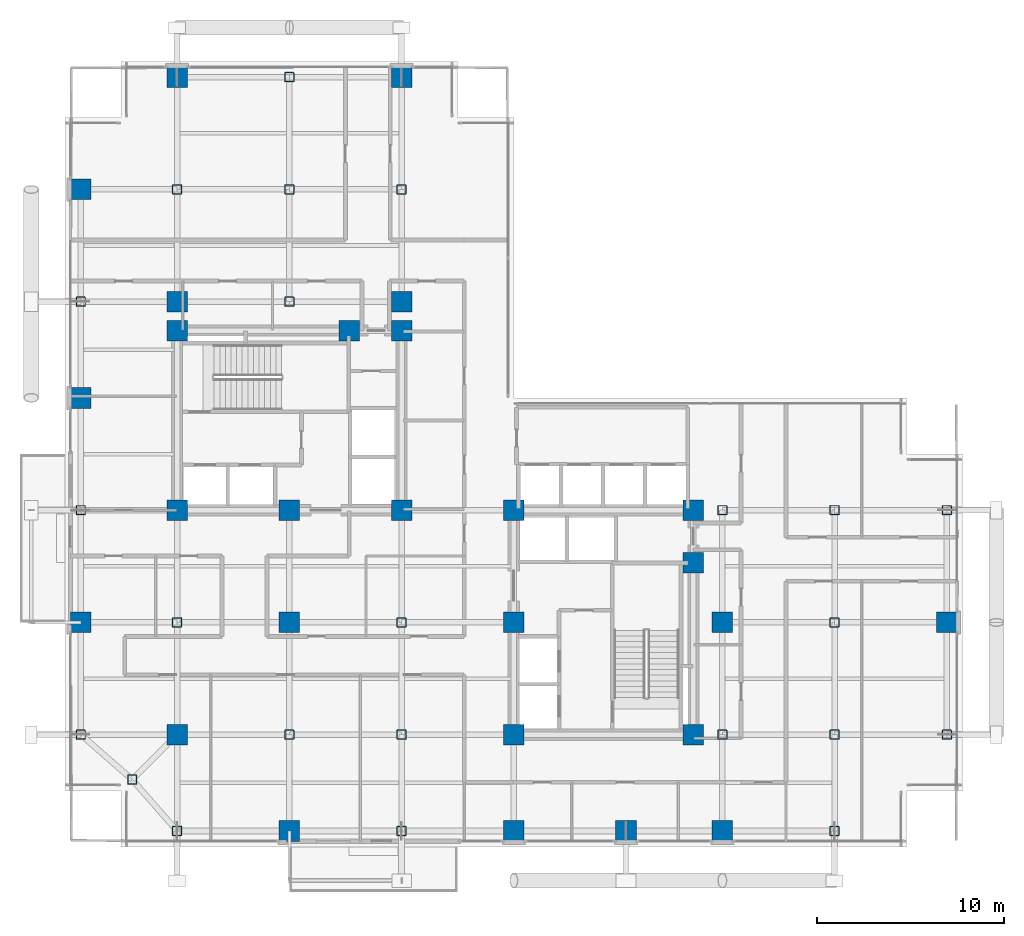
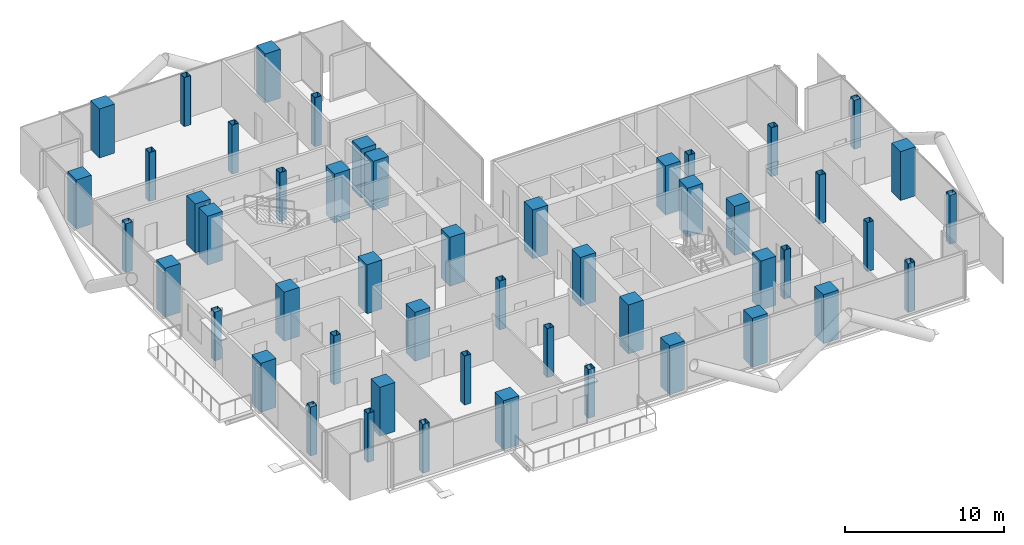
# One storey, part 1 of 24: 50 columns.
"""IFC4 building model written with IfcOpenShell, lengths in metres."""

import ifcopenshell
import ifcopenshell.guid

model = None  # the IFC model being written
_history = None  # IfcOwnerHistory: only IFC2X3 demands one
_inside = {}  # id of a spatial element -> (the spatial element, [elements in it])
_under = {}  # id of a project, library or spatial element -> (it, [spatial elements below it])
_declared = {}  # id of a project -> (the project, [libraries it declares])
_typed = {}  # id of a type object -> (the type object, [elements of that type])
_made_of = {}  # id of a material, layer set ... -> (it, [elements and type objects made of it])


def new_model(schema):
    """Start an empty IFC model of exactly this schema.

    Asked for "IFC4X3", IfcOpenShell would pick the latest addendum, in which some entities
    have other attributes; the version numbers below select the first issue.
    IFC2X3 requires an IfcOwnerHistory on every rooted entity: one is made here for all.
    """
    global model, _history
    if schema == "IFC4X3":
        model = ifcopenshell.file(schema_version=(4, 3, 0, 0))
    else:
        model = ifcopenshell.file(schema=schema)
    _inside.clear()
    _under.clear()
    _declared.clear()
    _typed.clear()
    _made_of.clear()
    _history = None
    if model.schema == "IFC2X3":
        org = make("IfcOrganization", Name="unknown")
        user = make(
            "IfcPersonAndOrganization",
            ThePerson=make("IfcPerson", FamilyName="unknown"),
            TheOrganization=org,
        )
        app = make(
            "IfcApplication",
            ApplicationDeveloper=org,
            Version="unknown",
            ApplicationFullName="unknown",
            ApplicationIdentifier="unknown",
        )
        _history = make(
            "IfcOwnerHistory",
            OwningUser=user,
            OwningApplication=app,
            ChangeAction="ADDED",
            CreationDate=0,
        )
    return model


def make(cls, **values):
    """One entity of the class cls with the attributes given. An attribute that is None is left unset."""
    return model.create_entity(
        cls, **{name: value for name, value in values.items() if value is not None}
    )


def rooted(cls, **values):
    """An entity with a GlobalId (a new one), such as an element, a storey or a relation."""
    return make(cls, GlobalId=ifcopenshell.guid.new(), OwnerHistory=_history, **values)


def si_unit(unit_type, name, prefix=None):
    """IfcSIUnit, for example si_unit("LENGTHUNIT", "METRE", prefix="MILLI")."""
    return make("IfcSIUnit", UnitType=unit_type, Prefix=prefix, Name=name)


def assignment(units):
    """IfcUnitAssignment: the units of a project."""
    return None if units is None else make("IfcUnitAssignment", Units=units)


def point(xyz):
    """IfcCartesianPoint."""
    return None if xyz is None else make("IfcCartesianPoint", Coordinates=xyz)


def direction(xyz):
    """IfcDirection."""
    return None if xyz is None else make("IfcDirection", DirectionRatios=xyz)


def frame(location, z_axis=None, x_axis=None):
    """IfcAxis2Placement3D, a coordinate frame: its origin and axes. An axis left out is left unset."""
    return make(
        "IfcAxis2Placement3D",
        Location=point(location),
        Axis=direction(z_axis),
        RefDirection=direction(x_axis),
    )


def frame_2d(location, x_axis=None):
    """IfcAxis2Placement2D, a coordinate frame in the plane: its origin and x axis."""
    return make(
        "IfcAxis2Placement2D", Location=point(location), RefDirection=direction(x_axis)
    )


def origin():
    """The frame at (0, 0, 0) with its axes left unset."""
    return frame((0.0, 0.0, 0.0))


def origin_2d():
    """The frame at (0, 0) in the plane with its x axis left unset."""
    return frame_2d((0.0, 0.0))


def place(relative_to, where):
    """IfcLocalPlacement: puts the frame where relative to a parent placement (None: the world)."""
    return make(
        "IfcLocalPlacement", PlacementRelTo=relative_to, RelativePlacement=where
    )


def context(
    kind, dimensions, precision=None, world=None, true_north=None, identifier=None
):
    """IfcGeometricRepresentationContext, for example the 3D "Model" context."""
    return make(
        "IfcGeometricRepresentationContext",
        ContextIdentifier=identifier,
        ContextType=kind,
        CoordinateSpaceDimension=dimensions,
        Precision=precision,
        WorldCoordinateSystem=world,
        TrueNorth=true_north,
    )


def subcontext(parent, identifier, kind, view, scale=None):
    """IfcGeometricRepresentationSubContext, for example "Body" below "Model"."""
    return make(
        "IfcGeometricRepresentationSubContext",
        ContextIdentifier=identifier,
        ContextType=kind,
        ParentContext=parent,
        TargetScale=scale,
        TargetView=view,
    )


def project(units=None, contexts=None):
    """IfcProject with its units and contexts."""
    return rooted(
        "IfcProject",
        Name="project",
        RepresentationContexts=contexts,
        UnitsInContext=assignment(units),
    )


def spatial(cls, under=None, at=None, **own):
    """A site, building, storey or space (cls), placed at a placement, below another one or the project."""
    s = rooted(cls, ObjectPlacement=at, **own)
    if under is not None:
        _under.setdefault(under.id(), (under, []))[1].append(s)
    return s


def profile(cls, at=None, kind="AREA", **sizes):
    """A parametric profile (cls). Its sizes go by their IFC names, for example OverallWidth=200.0."""
    return make(cls, ProfileType=kind, Position=at, **sizes)


def rectangle(**sizes):
    """IfcRectangleProfileDef."""
    return profile("IfcRectangleProfileDef", **sizes)


def hollow_rectangle(**sizes):
    """IfcRectangleHollowProfileDef."""
    return profile("IfcRectangleHollowProfileDef", **sizes)


def extrude(swept, where, along, depth):
    """IfcExtrudedAreaSolid: the profile swept, set in the frame where, extruded along a direction by depth."""
    return make(
        "IfcExtrudedAreaSolid",
        SweptArea=swept,
        Position=where,
        ExtrudedDirection=direction(along),
        Depth=depth,
    )


def shape(context_of_items, identifier, shape_type, items):
    """IfcShapeRepresentation: the items that make up one representation, for example the "Body"."""
    return make(
        "IfcShapeRepresentation",
        ContextOfItems=context_of_items,
        RepresentationIdentifier=identifier,
        RepresentationType=shape_type,
        Items=items,
    )


def material(Name=None, Category=None):
    """IfcMaterial."""
    return make("IfcMaterial", Name=Name, Category=Category)


def material_profile(
    of_material, cross_section, Name=None, Category=None, Priority=None
):
    """IfcMaterialProfile: a cross section and its material."""
    return make(
        "IfcMaterialProfile",
        Name=Name,
        Material=of_material,
        Profile=cross_section,
        Priority=Priority,
        Category=Category,
    )


def profile_set(profiles, Name=None, composite=None):
    """IfcMaterialProfileSet."""
    return make(
        "IfcMaterialProfileSet",
        Name=Name,
        MaterialProfiles=profiles,
        CompositeProfile=composite,
    )


def made_of(thing, what):
    """Note that an element or type object is made of a material, layer set ...; save() writes the relation."""
    if what is not None:
        _made_of.setdefault(what.id(), (what, []))[1].append(thing)
    return thing


def type_object(cls, material=None, **own):
    """A type object (cls), such as IfcWallType, which elements share."""
    return made_of(rooted(cls, **own), material)


def element(
    cls,
    number,
    at=None,
    inside=None,
    cuts=None,
    type_object=None,
    material=None,
    context=None,
    identifier="Body",
    shape_type=None,
    held_by="IfcProductDefinitionShape",
    body=None,
    shapes=None,
    **own,
):
    """One element of the class cls, such as IfcWall. Its Tag is "e" and its number.

    at: its placement. inside: the storey or other place that contains it. cuts: it is an
    opening in that element (IfcRelVoidsElement). A single representation is given by context,
    identifier, shape_type and body (its items); several are given by shapes. held_by: the class
    of the entity that holds the representations. save() writes the other relations.
    """
    e = rooted(cls, Tag="e%d" % number, ObjectPlacement=at, **own)
    if body is not None:
        shapes = [shape(context, identifier, shape_type, body)]
    if shapes is not None:
        e.Representation = make(held_by, Representations=shapes)
    if inside is not None:
        _inside.setdefault(inside.id(), (inside, []))[1].append(e)
    if cuts is not None:
        rooted(
            "IfcRelVoidsElement", RelatingBuildingElement=cuts, RelatedOpeningElement=e
        )
    if type_object is not None:
        _typed.setdefault(type_object.id(), (type_object, []))[1].append(e)
    return made_of(e, material)


def aggregate(whole, parts):
    """IfcRelAggregates: a whole, such as a stair, and the parts it consists of."""
    return rooted("IfcRelAggregates", RelatingObject=whole, RelatedObjects=parts)


def save(model, path):
    """Write the relations noted so far, then the file.

    IfcRelAggregates (storeys below a building ...), IfcRelContainedInSpatialStructure (elements
    in a storey), IfcRelDefinesByType, IfcRelAssociatesMaterial and IfcRelDeclares: one each for
    every whole, place, type object, material and project.
    """
    for whole, parts in _under.values():
        aggregate(whole, parts)
    for where, things in _inside.values():
        rooted(
            "IfcRelContainedInSpatialStructure",
            RelatedElements=things,
            RelatingStructure=where,
        )
    for kind, things in _typed.values():
        rooted("IfcRelDefinesByType", RelatedObjects=things, RelatingType=kind)
    for what, things in _made_of.values():
        rooted("IfcRelAssociatesMaterial", RelatedObjects=things, RelatingMaterial=what)
    for by, libraries in _declared.values():
        rooted("IfcRelDeclares", RelatingContext=by, RelatedDefinitions=libraries)
    model.write(path)


model = new_model("IFC4")

# Units and contexts
model_context = context("Model", 3, precision=1e-05, world=origin(), true_north=direction((0.0, 1.0)))
body_context = subcontext(model_context, "Body", "Model", "MODEL_VIEW")
ifc_project = project(units=[si_unit("LENGTHUNIT", "METRE"), si_unit("AREAUNIT", "SQUARE_METRE"), si_unit("VOLUMEUNIT", "CUBIC_METRE"), si_unit("PLANEANGLEUNIT", "RADIAN"), si_unit("MASSUNIT", "GRAM", prefix="KILO"), si_unit("THERMODYNAMICTEMPERATUREUNIT", "KELVIN"), si_unit("POWERUNIT", "WATT")], contexts=[model_context])

# Site, building, storey
site_placement = place(None, origin())
site = spatial("IfcSite", under=ifc_project, at=site_placement, CompositionType="ELEMENT")
building_placement = place(site_placement, origin())
building = spatial("IfcBuilding", under=site, at=building_placement, Name="Svarakhadi Broadcast Tower", CompositionType="ELEMENT")
storey_placement = place(building_placement, frame((0.0, 0.0, 141.89990234375)))
storey = spatial("IfcBuildingStorey", under=building, at=storey_placement, Name="L34", CompositionType="ELEMENT", Elevation=141.89990234375)

# Columns
ifc_material_1 = material(Name="Concrete C50/60 (IS 456 M60)", Category="concrete")
ifc_material_profile_1 = material_profile(ifc_material_1, rectangle(XDim=1.10009765625, YDim=1.10009765625, at=origin_2d()), Name="RC 1100x1100")
ifc_profile_set_1 = profile_set([ifc_material_profile_1], Name="Concrete C50/60 (IS 456 M60)")
column_type_1 = type_object("IfcColumnType", Name="Col_RC1100", PredefinedType="COLUMN", material=ifc_profile_set_1)
for number, where, z_axis, x_axis, name in (
    (1, (6.0, 18.0, 0.0), (0.0, 0.0, 1.0), (1.0, 0.0, 0.0), "L34 Column CW1"),
    (2, (12.0, 18.0, 0.0), (0.0, 0.0, 1.0), (1.0, 0.0, 0.0), "L34 Column CW2"),
    (3, (18.0, 18.0, 0.0), (0.0, 0.0, 1.0), (1.0, 0.0, 0.0), "L34 Column CW3"),
    (4, (6.0, 27.60009765625, 0.0), (0.0, 0.0, 1.0), (1.0, 0.0, 0.0), "L34 Column CW4"),
    (5, (15.199951171875, 27.60009765625, 0.0), (0.0, 0.0, 1.0), (1.0, 0.0, 0.0), "L34 Column CW5"),
    (6, (18.0, 27.60009765625, 0.0), (0.0, 0.0, 1.0), (1.0, 0.0, 0.0), "L34 Column CW6"),
    (7, (24.0, 6.0, 0.0), (0.0, 0.0, 1.0), (1.0, 0.0, 0.0), "L34 Column CE1"),
    (8, (24.0, 12.0, 0.0), (0.0, 0.0, 1.0), (1.0, 0.0, 0.0), "L34 Column CE2"),
    (9, (24.0, 18.0, 0.0), (0.0, 0.0, 1.0), (1.0, 0.0, 0.0), "L34 Column CE3"),
    (10, (33.60009765625, 6.0, 0.0), (0.0, 0.0, 1.0), (1.0, 0.0, 0.0), "L34 Column CE4"),
    (11, (33.60009765625, 15.199951171875, 0.0), (0.0, 0.0, 1.0), (1.0, 0.0, 0.0), "L34 Column CE5"),
    (12, (33.60009765625, 18.0, 0.0), (0.0, 0.0, 1.0), (1.0, 0.0, 0.0), "L34 Column CE6"),
    (13, (0.85009765625, 12.0, 0.0), (0.0, 0.0, 1.0), (1.0, 0.0, 0.0), "L34 Column G04"),
    (14, (0.85009765625, 24.0, 0.0), (0.0, 0.0, 1.0), (1.0, 0.0, 0.0), "L34 Column G06"),
    (15, (0.85009765625, 35.14990234375, 0.0), (0.0, 0.0, 1.0), (1.0, 0.0, 0.0), "L34 Column G08"),
    (16, (6.0, 6.0, 0.0), (0.0, 0.0, 1.0), (1.0, 0.0, 0.0), "L34 Column G12"),
    (17, (6.0, 29.14990234375, 0.0), (0.0, 0.0, 1.0), (1.0, 0.0, 0.0), "L34 Column G14"),
    (18, (6.0, 41.14990234375, 0.0), (0.0, 0.0, 1.0), (1.0, 0.0, 0.0), "L34 Column G16"),
    (19, (12.0, 0.85009765625, 0.0), (0.0, 0.0, 1.0), (1.0, 0.0, 0.0), "L34 Column G18"),
    (20, (12.0, 12.0, 0.0), (0.0, 0.0, 1.0), (1.0, 0.0, 0.0), "L34 Column G20"),
    (21, (18.0, 29.14990234375, 0.0), (0.0, 0.0, 1.0), (1.0, 0.0, 0.0), "L34 Column G28"),
    (22, (18.0, 41.14990234375, 0.0), (0.0, 0.0, 1.0), (1.0, 0.0, 0.0), "L34 Column G30"),
    (23, (24.0, 0.85009765625, 0.0), (0.0, 0.0, 1.0), (1.0, 0.0, 0.0), "L34 Column G32"),
    (24, (30.0, 0.85009765625, 0.0), (0.0, 0.0, 1.0), (1.0, 0.0, 0.0), "L34 Column G36"),
    (25, (35.14990234375, 0.85009765625, 0.0), (0.0, 0.0, 1.0), (1.0, 0.0, 0.0), "L34 Column G38"),
    (26, (35.14990234375, 12.0, 0.0), (0.0, 0.0, 1.0), (1.0, 0.0, 0.0), "L34 Column G40"),
    (27, (47.14990234375, 12.0, 0.0), (0.0, 0.0, 1.0), (1.0, 0.0, 0.0), "L34 Column G52"),
):
    element("IfcColumn", number, at=place(storey_placement, frame(where, z_axis=z_axis, x_axis=x_axis)), inside=storey, type_object=column_type_1, Name=name, PredefinedType="COLUMN", context=body_context, shape_type="SweptSolid", body=[
        extrude(rectangle(XDim=1.10009765625, YDim=1.10009765625, at=origin_2d()), origin(), (0.0, 0.0, 1.0), 3.75),
    ])
ifc_material_2 = material(Name="Steel S460ML (IS 2062 E450BR)", Category="steel")
ifc_material_profile_2 = material_profile(ifc_material_2, hollow_rectangle(XDim=0.5, YDim=0.5, WallThickness=0.02490234375, InnerFilletRadius=0.02490234375, OuterFilletRadius=0.0400390625, at=origin_2d()), Name="SHS 500x500x25")
ifc_profile_set_2 = profile_set([ifc_material_profile_2], Name="Steel S460ML (IS 2062 E450BR)")
column_type_2 = type_object("IfcColumnType", Name="Col_SHS500", PredefinedType="COLUMN", material=ifc_profile_set_2)
for number, where, z_axis, x_axis, name in (
    (28, (3.60009765625, 3.60009765625, 0.0), (0.0, 0.0, 1.0), (1.0, 0.0, 0.0), "L34 Column G01"),
    (29, (0.85009765625, 6.0, 0.0), (0.0, 0.0, 1.0), (1.0, 0.0, 0.0), "L34 Column G03"),
    (30, (0.85009765625, 18.0, 0.0), (0.0, 0.0, 1.0), (1.0, 0.0, 0.0), "L34 Column G05"),
    (31, (0.85009765625, 29.14990234375, 0.0), (0.0, 0.0, 1.0), (1.0, 0.0, 0.0), "L34 Column G07"),
    (32, (6.0, 0.85009765625, 0.0), (0.0, 0.0, 1.0), (1.0, 0.0, 0.0), "L34 Column G11"),
    (33, (6.0, 12.0, 0.0), (0.0, 0.0, 1.0), (1.0, 0.0, 0.0), "L34 Column G13"),
    (34, (6.0, 35.14990234375, 0.0), (0.0, 0.0, 1.0), (1.0, 0.0, 0.0), "L34 Column G15"),
    (35, (12.0, 6.0, 0.0), (0.0, 0.0, 1.0), (1.0, 0.0, 0.0), "L34 Column G19"),
    (36, (12.0, 29.14990234375, 0.0), (0.0, 0.0, 1.0), (1.0, 0.0, 0.0), "L34 Column G21"),
    (37, (12.0, 35.14990234375, 0.0), (0.0, 0.0, 1.0), (1.0, 0.0, 0.0), "L34 Column G22"),
    (38, (12.0, 41.14990234375, 0.0), (0.0, 0.0, 1.0), (1.0, 0.0, 0.0), "L34 Column G23"),
    (39, (18.0, 0.85009765625, 0.0), (0.0, 0.0, 1.0), (1.0, 0.0, 0.0), "L34 Column G25"),
    (40, (18.0, 6.0, 0.0), (0.0, 0.0, 1.0), (1.0, 0.0, 0.0), "L34 Column G26"),
    (41, (18.0, 12.0, 0.0), (0.0, 0.0, 1.0), (1.0, 0.0, 0.0), "L34 Column G27"),
    (42, (18.0, 35.14990234375, 0.0), (0.0, 0.0, 1.0), (1.0, 0.0, 0.0), "L34 Column G29"),
    (43, (35.14990234375, 6.0, 0.0), (0.0, 0.0, 1.0), (1.0, 0.0, 0.0), "L34 Column G39"),
    (44, (35.14990234375, 18.0, 0.0), (0.0, 0.0, 1.0), (1.0, 0.0, 0.0), "L34 Column G41"),
    (45, (41.14990234375, 0.85009765625, 0.0), (0.0, 0.0, 1.0), (1.0, 0.0, 0.0), "L34 Column G43"),
    (46, (41.14990234375, 6.0, 0.0), (0.0, 0.0, 1.0), (1.0, 0.0, 0.0), "L34 Column G44"),
    (47, (41.14990234375, 12.0, 0.0), (0.0, 0.0, 1.0), (1.0, 0.0, 0.0), "L34 Column G45"),
    (48, (41.14990234375, 18.0, 0.0), (0.0, 0.0, 1.0), (1.0, 0.0, 0.0), "L34 Column G46"),
    (49, (47.14990234375, 6.0, 0.0), (0.0, 0.0, 1.0), (1.0, 0.0, 0.0), "L34 Column G51"),
    (50, (47.14990234375, 18.0, 0.0), (0.0, 0.0, 1.0), (1.0, 0.0, 0.0), "L34 Column G53"),
):
    element("IfcColumn", number, at=place(storey_placement, frame(where, z_axis=z_axis, x_axis=x_axis)), inside=storey, type_object=column_type_2, Name=name, PredefinedType="COLUMN", context=body_context, shape_type="SweptSolid", body=[
        extrude(hollow_rectangle(XDim=0.5, YDim=0.5, WallThickness=0.02490234375, InnerFilletRadius=0.02490234375, OuterFilletRadius=0.0400390625, at=origin_2d()), origin(), (0.0, 0.0, 1.0), 3.75),
    ])

save(model, "model.ifc")
